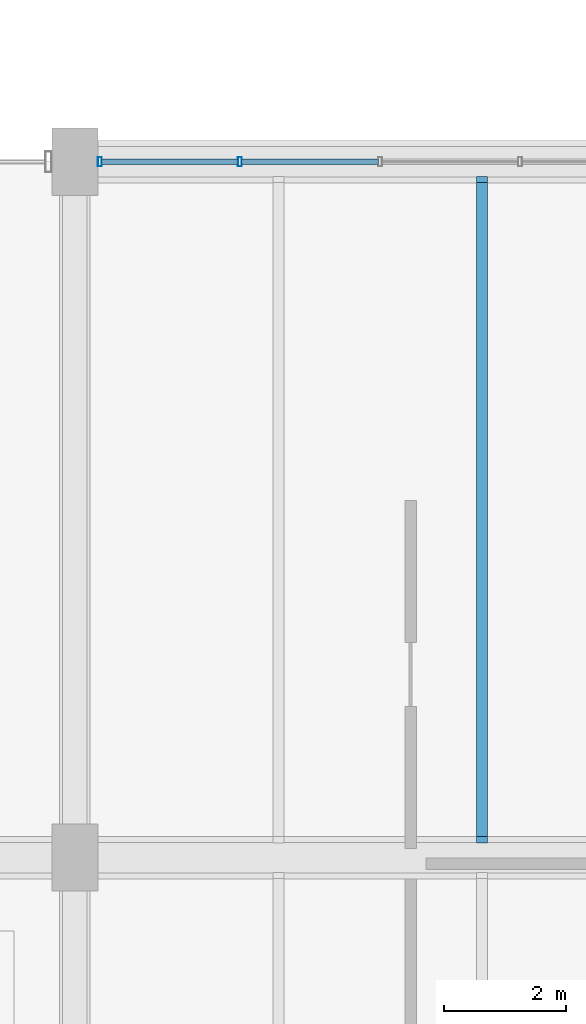
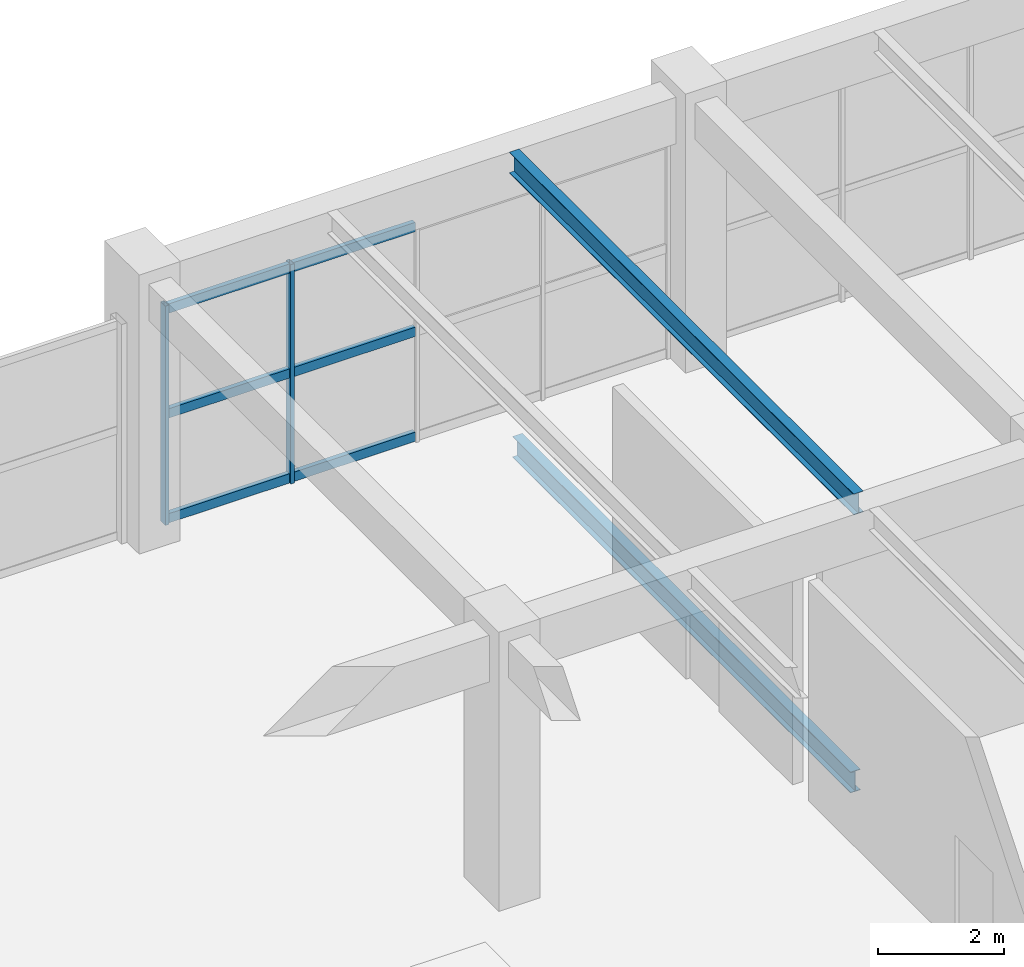
# One storey, part 39 of 113: 8 members, 2 beams, 1 element without a shape of its own.
"""IFC4 building model written with IfcOpenShell, lengths in metres."""

from ifc_helpers import new_model, si_unit, direction, frame, origin, origin_2d, place, context, subcontext, project, spatial, hollow_rectangle, i_section, extrude, material, layer, layer_set, material_profile, profile_set, type_object, element, aggregate, save


model = new_model("IFC4")

# Units and contexts
model_context = context("Model", 3, precision=1e-05, world=origin(), true_north=direction((0.0, 1.0)))
body_context = subcontext(model_context, "Body", "Model", "MODEL_VIEW")
ifc_project = project(units=[si_unit("LENGTHUNIT", "METRE"), si_unit("AREAUNIT", "SQUARE_METRE"), si_unit("VOLUMEUNIT", "CUBIC_METRE"), si_unit("PLANEANGLEUNIT", "RADIAN"), si_unit("MASSUNIT", "GRAM", prefix="KILO"), si_unit("POWERUNIT", "WATT"), si_unit("THERMODYNAMICTEMPERATUREUNIT", "KELVIN")], contexts=[model_context])

# Site, building, storey
site_placement = place(None, origin())
site = spatial("IfcSite", under=ifc_project, at=site_placement, CompositionType="ELEMENT")
building_placement = place(site_placement, origin())
building = spatial("IfcBuilding", under=site, at=building_placement, Name="Kelmbourne Parkland Aquatics Centre", CompositionType="ELEMENT")
storey_placement = place(building_placement, origin())
storey = spatial("IfcBuildingStorey", under=building, at=storey_placement, Name="L00", CompositionType="ELEMENT", Elevation=0.0)

# Beams
ifc_material_1 = material(Name="Structural steel AS/NZS 3679.1 Grade 300", Category="steel")
ifc_material_profile_1 = material_profile(ifc_material_1, i_section(OverallWidth=0.177978515625, OverallDepth=0.406005859375, WebThickness=0.0078125, FlangeThickness=0.0126953125, at=origin_2d()), Name="410UB59.7")
ifc_profile_set_1 = profile_set([ifc_material_profile_1], Name="Structural steel AS/NZS 3679.1 Grade 300")
beam_type = type_object("IfcBeamType", Name="BM-J01", PredefinedType="JOIST", material=ifc_profile_set_1)
beam_1_placement = place(storey_placement, frame((82.666748046875, 12.5419921875, -0.48291015625), z_axis=(0.0, 1.0, 0.0), x_axis=(-1.0, 0.0, 0.0)))
element("IfcBeam", 1, at=beam_1_placement, inside=storey, type_object=beam_type, Name="Secondary floor joist J-K/03-04 #2 (L00)", PredefinedType="JOIST", context=body_context, shape_type="SweptSolid", body=[
    extrude(i_section(OverallWidth=0.177978515625, OverallDepth=0.406005859375, WebThickness=0.0078125, FlangeThickness=0.0126953125, at=origin_2d()), origin(), (0.0, 0.0, 1.0), 10.716064453125),
])
beam_2_placement = place(storey_placement, frame((82.666748046875, 12.44189453125, 4.95703125), z_axis=(0.0, 1.0, 0.0), x_axis=(-1.0, 0.0, 0.0)))
element("IfcBeam", 2, at=beam_2_placement, inside=storey, type_object=beam_type, Name="Secondary floor joist J-K/03-04 #2 (L01)", PredefinedType="JOIST", context=body_context, shape_type="SweptSolid", body=[
    extrude(i_section(OverallWidth=0.177978515625, OverallDepth=0.406005859375, WebThickness=0.0078125, FlangeThickness=0.0126953125, at=origin_2d()), origin(), (0.0, 0.0, 1.0), 10.916015625),
])

# Curtain wall, members
ifc_material_2 = material(Name="Thermally broken anodised aluminium framing", Category="aluminium")
ifc_layer = layer(ifc_material_2, 0.179931640625)
ifc_layer_set = layer_set([ifc_layer], Name="Thermally broken anodised aluminium framing")
curtain_wall_type = type_object("IfcCurtainWallType", Name="CW-02", PredefinedType="NOTDEFINED", material=ifc_layer_set)
curtain_wall_placement = place(storey_placement, origin())
curtain_wall = element("IfcCurtainWall", 3, at=curtain_wall_placement, inside=storey, type_object=curtain_wall_type, Name="Facade curtain wall CW-L00-170", PredefinedType="NOTDEFINED")
ifc_material_profile_2 = material_profile(ifc_material_2, hollow_rectangle(XDim=0.06494140625, YDim=0.14990234375, WallThickness=0.00390625, at=origin_2d()), Name="CW-M 65x150")
ifc_profile_set_2 = profile_set([ifc_material_profile_2], Name="Thermally broken anodised aluminium framing")
member_type_1 = type_object("IfcMemberType", Name="MB-MUL-1", PredefinedType="MULLION", material=ifc_profile_set_2)
member_1_placement = place(storey_placement, frame((76.409423828125, 23.60009765625, 0.0), z_axis=(0.0, 0.0, 1.0), x_axis=(1.0, 0.0, 0.0)))
member_1 = element("IfcMember", 4, at=member_1_placement, type_object=member_type_1, Name="CW-L00-170 mullion 0", PredefinedType="MULLION", context=body_context, shape_type="SweptSolid", body=[
    extrude(hollow_rectangle(XDim=0.06494140625, YDim=0.14990234375, WallThickness=0.00390625, at=origin_2d()), origin(), (0.0, 0.0, 1.0), 4.2451171875),
])
member_2_placement = place(storey_placement, frame((78.704833984375, 23.60009765625, 0.0), z_axis=(0.0, 0.0, 1.0), x_axis=(1.0, 0.0, 0.0)))
member_2 = element("IfcMember", 5, at=member_2_placement, type_object=member_type_1, Name="CW-L00-170 mullion 1", PredefinedType="MULLION", context=body_context, shape_type="SweptSolid", body=[
    extrude(hollow_rectangle(XDim=0.06494140625, YDim=0.14990234375, WallThickness=0.00390625, at=origin_2d()), origin(), (0.0, 0.0, 1.0), 4.2451171875),
])
ifc_material_profile_3 = material_profile(ifc_material_2, hollow_rectangle(XDim=0.0849609375, YDim=0.179931640625, WallThickness=0.00439453125, at=origin_2d()), Name="CW-T 85x180")
ifc_profile_set_3 = profile_set([ifc_material_profile_3], Name="Thermally broken anodised aluminium framing")
member_type_2 = type_object("IfcMemberType", Name="MB-TRN-3", PredefinedType="USERDEFINED", material=ifc_profile_set_3)
member_3_placement = place(storey_placement, frame((76.43798828125, 23.60009765625, 0.093017578125), z_axis=(1.0, 0.0, 0.0), x_axis=(0.0, 1.0, 0.0)))
member_3 = element("IfcMember", 6, at=member_3_placement, type_object=member_type_2, Name="CW-L00-170 transom 0-0", ObjectType="TRANSOM", PredefinedType="USERDEFINED", context=body_context, shape_type="SweptSolid", body=[
    extrude(hollow_rectangle(XDim=0.0849609375, YDim=0.179931640625, WallThickness=0.00439453125, at=origin_2d()), origin(), (0.0, 0.0, 1.0), 2.23828125),
])
member_4_placement = place(storey_placement, frame((78.7333984375, 23.60009765625, 0.093017578125), z_axis=(1.0, 0.0, 0.0), x_axis=(0.0, 1.0, 0.0)))
member_4 = element("IfcMember", 7, at=member_4_placement, type_object=member_type_2, Name="CW-L00-170 transom 0-1", ObjectType="TRANSOM", PredefinedType="USERDEFINED", context=body_context, shape_type="SweptSolid", body=[
    extrude(hollow_rectangle(XDim=0.0849609375, YDim=0.179931640625, WallThickness=0.00439453125, at=origin_2d()), origin(), (0.0, 0.0, 1.0), 2.238037109375),
])
member_5_placement = place(storey_placement, frame((76.43798828125, 23.60009765625, 2.12255859375), z_axis=(1.0, 0.0, 0.0), x_axis=(0.0, 1.0, 0.0)))
member_5 = element("IfcMember", 8, at=member_5_placement, type_object=member_type_2, Name="CW-L00-170 transom 1-0", ObjectType="TRANSOM", PredefinedType="USERDEFINED", context=body_context, shape_type="SweptSolid", body=[
    extrude(hollow_rectangle(XDim=0.0849609375, YDim=0.179931640625, WallThickness=0.00439453125, at=origin_2d()), origin(), (0.0, 0.0, 1.0), 2.23828125),
])
member_6_placement = place(storey_placement, frame((78.7333984375, 23.60009765625, 2.12255859375), z_axis=(1.0, 0.0, 0.0), x_axis=(0.0, 1.0, 0.0)))
member_6 = element("IfcMember", 9, at=member_6_placement, type_object=member_type_2, Name="CW-L00-170 transom 1-1", ObjectType="TRANSOM", PredefinedType="USERDEFINED", context=body_context, shape_type="SweptSolid", body=[
    extrude(hollow_rectangle(XDim=0.0849609375, YDim=0.179931640625, WallThickness=0.00439453125, at=origin_2d()), origin(), (0.0, 0.0, 1.0), 2.238037109375),
])
member_7_placement = place(storey_placement, frame((76.43798828125, 23.60009765625, 4.152099609375), z_axis=(1.0, 0.0, 0.0), x_axis=(0.0, 1.0, 0.0)))
member_7 = element("IfcMember", 10, at=member_7_placement, type_object=member_type_2, Name="CW-L00-170 transom 2-0", ObjectType="TRANSOM", PredefinedType="USERDEFINED", context=body_context, shape_type="SweptSolid", body=[
    extrude(hollow_rectangle(XDim=0.0849609375, YDim=0.179931640625, WallThickness=0.00439453125, at=origin_2d()), origin(), (0.0, 0.0, 1.0), 2.23828125),
])
member_8_placement = place(storey_placement, frame((78.7333984375, 23.60009765625, 4.152099609375), z_axis=(1.0, 0.0, 0.0), x_axis=(0.0, 1.0, 0.0)))
member_8 = element("IfcMember", 11, at=member_8_placement, type_object=member_type_2, Name="CW-L00-170 transom 2-1", ObjectType="TRANSOM", PredefinedType="USERDEFINED", context=body_context, shape_type="SweptSolid", body=[
    extrude(hollow_rectangle(XDim=0.0849609375, YDim=0.179931640625, WallThickness=0.00439453125, at=origin_2d()), origin(), (0.0, 0.0, 1.0), 2.238037109375),
])
aggregate(curtain_wall, [member_1, member_2, member_3, member_4, member_5, member_6, member_7, member_8])

save(model, "model.ifc")
